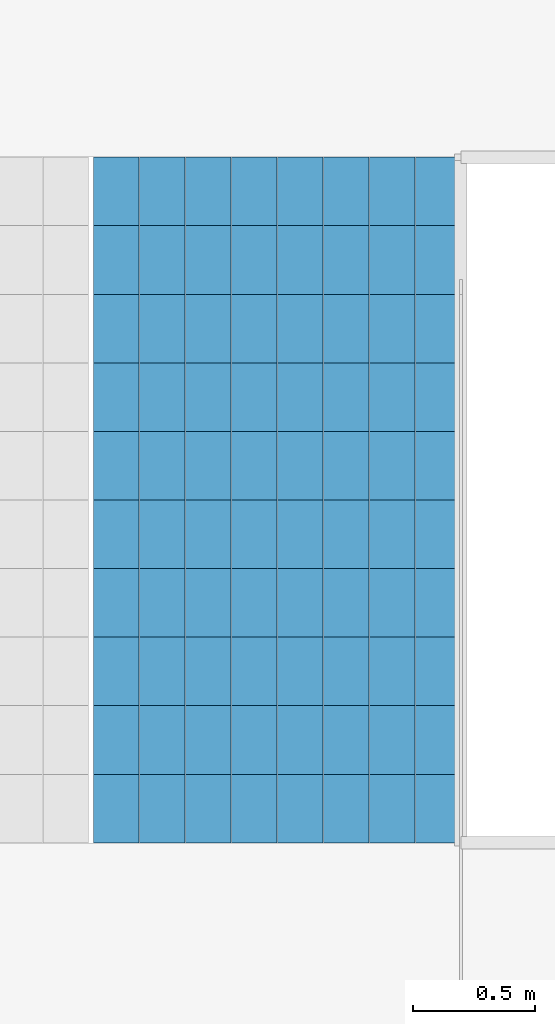
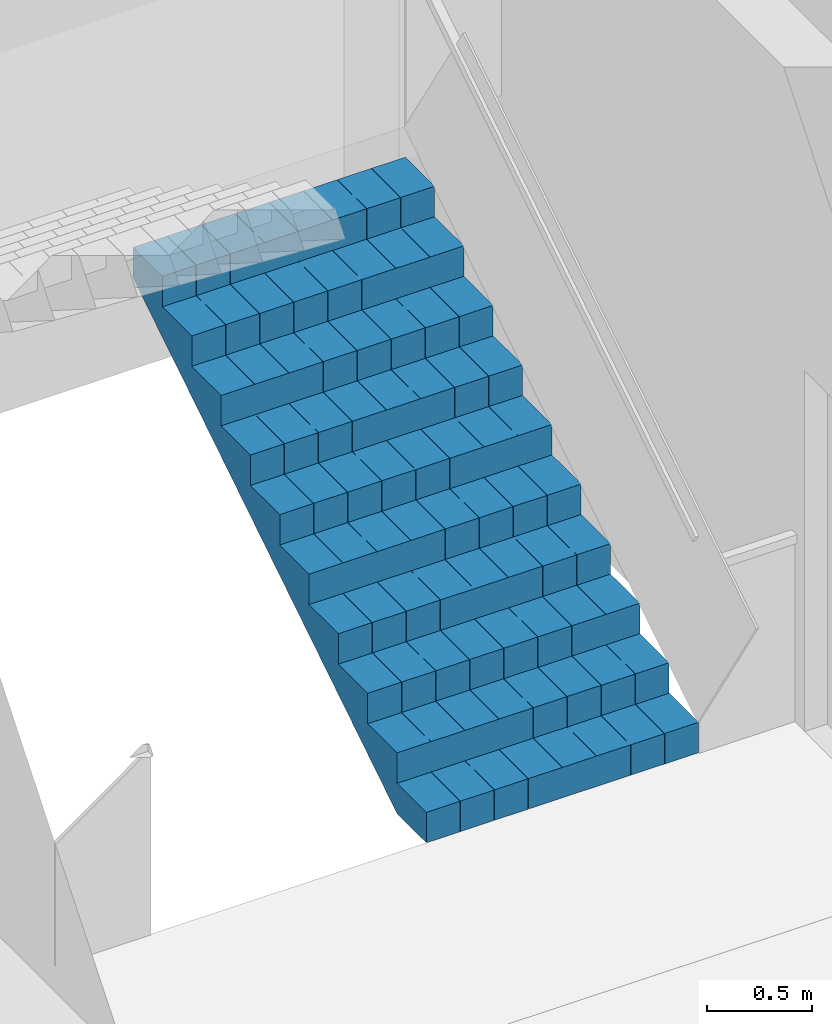
# One storey, part 12 of 14: 1 stair flight, 1 element without a shape of its own.
"""IFC4 building model written with IfcOpenShell, lengths in metres."""

from ifc_helpers import new_model, si_unit, direction, frame, origin, place, context, subcontext, project, spatial, polyline, outline, extrude, material, type_object, element, aggregate, save


model = new_model("IFC4")

# Units and contexts
model_context = context("Model", 3, precision=1e-05, world=origin(), true_north=direction((0.0, 1.0)))
body_context = subcontext(model_context, "Body", "Model", "MODEL_VIEW")
ifc_project = project(units=[si_unit("LENGTHUNIT", "METRE"), si_unit("AREAUNIT", "SQUARE_METRE"), si_unit("VOLUMEUNIT", "CUBIC_METRE"), si_unit("PLANEANGLEUNIT", "RADIAN"), si_unit("MASSUNIT", "GRAM", prefix="KILO")], contexts=[model_context])

# Site, building, storey
site_placement = place(None, origin())
site = spatial("IfcSite", under=ifc_project, at=site_placement, CompositionType="ELEMENT")
building_placement = place(site_placement, origin())
building = spatial("IfcBuilding", under=site, at=building_placement, Name="Kolab Exchange Tower", CompositionType="ELEMENT")
storey_placement = place(building_placement, frame((0.0, 0.0, 246.199951171875)))
storey = spatial("IfcBuildingStorey", under=building, at=storey_placement, Name="L54", CompositionType="ELEMENT", Elevation=246.199951171875)

# Stair, stair flight
ifc_material = material(Name="Concrete C50/60", Category="concrete")
stair_type = type_object("IfcStairType", Name="STAIR ST1 RISER 177.3", PredefinedType="HALF_TURN_STAIR", material=ifc_material)
stair_placement = place(storey_placement, origin())
stair = element("IfcStair", 1, at=stair_placement, inside=storey, type_object=stair_type, Name="Stair 1", PredefinedType="HALF_TURN_STAIR")
stair_flight_type = type_object("IfcStairFlightType", Name="STAIR FLIGHT 1500 RISER 177.3", PredefinedType="STRAIGHT", material=ifc_material)
stair_flight_placement = place(storey_placement, frame((-6.527587890625, 5.550048828125, 0.0), z_axis=(0.0, 0.0, 1.0), x_axis=(0.0, 1.0, 0.0)))
stair_flight = element("IfcStairFlight", 2, at=stair_flight_placement, type_object=stair_flight_type, Name="ST1 flight 1", NumberOfRisers=11, NumberOfTreads=10, PredefinedType="STRAIGHT", RiserHeight=0.177272727, TreadLength=0.28, context=body_context, shape_type="SweptSolid", body=[
    extrude(outline(polyline([(0.0, 0.0), (0.0, 0.17724609375), (0.280029296875, 0.17724609375), (0.280029296875, 0.3544921875), (0.56005859375, 0.3544921875), (0.56005859375, 0.53173828125), (0.840087890625, 0.53173828125), (0.840087890625, 0.708984375), (1.1201171875, 0.708984375), (1.1201171875, 0.886474609375), (1.39990234375, 0.886474609375), (1.39990234375, 1.063720703125), (1.679931640625, 1.063720703125), (1.679931640625, 1.240966796875), (1.9599609375, 1.240966796875), (1.9599609375, 1.418212890625), (2.239990234375, 1.418212890625), (2.239990234375, 1.595458984375), (2.52001953125, 1.595458984375), (2.52001953125, 1.772705078125), (2.800048828125, 1.772705078125), (2.800048828125, 1.949951171875), (2.800048828125, 1.59521484375), (0.2802734375, 0.0), (0.0, 0.0)])), frame((0.0, 0.75, 0.0), z_axis=(0.0, -1.0, 0.0), x_axis=(1.0, 0.0, 0.0)), (0.0, 0.0, 1.0), 0.185791015625),
    extrude(outline(polyline([(0.0, 0.0), (0.0, 0.17724609375), (0.280029296875, 0.17724609375), (0.280029296875, 0.3544921875), (0.56005859375, 0.3544921875), (0.56005859375, 0.53173828125), (0.840087890625, 0.53173828125), (0.840087890625, 0.708984375), (1.1201171875, 0.708984375), (1.1201171875, 0.886474609375), (1.39990234375, 0.886474609375), (1.39990234375, 1.063720703125), (1.679931640625, 1.063720703125), (1.679931640625, 1.240966796875), (1.9599609375, 1.240966796875), (1.9599609375, 1.418212890625), (2.239990234375, 1.418212890625), (2.239990234375, 1.595458984375), (2.52001953125, 1.595458984375), (2.52001953125, 1.772705078125), (2.800048828125, 1.772705078125), (2.800048828125, 1.949951171875), (2.800048828125, 1.59521484375), (0.2802734375, 0.0), (0.0, 0.0)])), frame((0.0, 0.562255859375, 0.0), z_axis=(0.0, -1.0, 0.0), x_axis=(1.0, 0.0, 0.0)), (0.0, 0.0, 1.0), 0.185791015625),
    extrude(outline(polyline([(0.0, 0.0), (0.0, 0.17724609375), (0.280029296875, 0.17724609375), (0.280029296875, 0.3544921875), (0.56005859375, 0.3544921875), (0.56005859375, 0.53173828125), (0.840087890625, 0.53173828125), (0.840087890625, 0.708984375), (1.1201171875, 0.708984375), (1.1201171875, 0.886474609375), (1.39990234375, 0.886474609375), (1.39990234375, 1.063720703125), (1.679931640625, 1.063720703125), (1.679931640625, 1.240966796875), (1.9599609375, 1.240966796875), (1.9599609375, 1.418212890625), (2.239990234375, 1.418212890625), (2.239990234375, 1.595458984375), (2.52001953125, 1.595458984375), (2.52001953125, 1.772705078125), (2.800048828125, 1.772705078125), (2.800048828125, 1.949951171875), (2.800048828125, 1.59521484375), (0.2802734375, 0.0), (0.0, 0.0)])), frame((0.0, 0.37451171875, 0.0), z_axis=(0.0, -1.0, 0.0), x_axis=(1.0, 0.0, 0.0)), (0.0, 0.0, 1.0), 0.185791015625),
    extrude(outline(polyline([(0.0, 0.0), (0.0, 0.17724609375), (0.280029296875, 0.17724609375), (0.280029296875, 0.3544921875), (0.56005859375, 0.3544921875), (0.56005859375, 0.53173828125), (0.840087890625, 0.53173828125), (0.840087890625, 0.708984375), (1.1201171875, 0.708984375), (1.1201171875, 0.886474609375), (1.39990234375, 0.886474609375), (1.39990234375, 1.063720703125), (1.679931640625, 1.063720703125), (1.679931640625, 1.240966796875), (1.9599609375, 1.240966796875), (1.9599609375, 1.418212890625), (2.239990234375, 1.418212890625), (2.239990234375, 1.595458984375), (2.52001953125, 1.595458984375), (2.52001953125, 1.772705078125), (2.800048828125, 1.772705078125), (2.800048828125, 1.949951171875), (2.800048828125, 1.59521484375), (0.2802734375, 0.0), (0.0, 0.0)])), frame((0.0, 0.186767578125, 0.0), z_axis=(0.0, -1.0, 0.0), x_axis=(1.0, 0.0, 0.0)), (0.0, 0.0, 1.0), 0.185791015625),
    extrude(outline(polyline([(0.0, 0.0), (0.0, 0.17724609375), (0.280029296875, 0.17724609375), (0.280029296875, 0.3544921875), (0.56005859375, 0.3544921875), (0.56005859375, 0.53173828125), (0.840087890625, 0.53173828125), (0.840087890625, 0.708984375), (1.1201171875, 0.708984375), (1.1201171875, 0.886474609375), (1.39990234375, 0.886474609375), (1.39990234375, 1.063720703125), (1.679931640625, 1.063720703125), (1.679931640625, 1.240966796875), (1.9599609375, 1.240966796875), (1.9599609375, 1.418212890625), (2.239990234375, 1.418212890625), (2.239990234375, 1.595458984375), (2.52001953125, 1.595458984375), (2.52001953125, 1.772705078125), (2.800048828125, 1.772705078125), (2.800048828125, 1.949951171875), (2.800048828125, 1.59521484375), (0.2802734375, 0.0), (0.0, 0.0)])), frame((0.0, -0.0009765625, 0.0), z_axis=(0.0, -1.0, 0.0), x_axis=(1.0, 0.0, 0.0)), (0.0, 0.0, 1.0), 0.185791015625),
    extrude(outline(polyline([(0.0, 0.0), (0.0, 0.17724609375), (0.280029296875, 0.17724609375), (0.280029296875, 0.3544921875), (0.56005859375, 0.3544921875), (0.56005859375, 0.53173828125), (0.840087890625, 0.53173828125), (0.840087890625, 0.708984375), (1.1201171875, 0.708984375), (1.1201171875, 0.886474609375), (1.39990234375, 0.886474609375), (1.39990234375, 1.063720703125), (1.679931640625, 1.063720703125), (1.679931640625, 1.240966796875), (1.9599609375, 1.240966796875), (1.9599609375, 1.418212890625), (2.239990234375, 1.418212890625), (2.239990234375, 1.595458984375), (2.52001953125, 1.595458984375), (2.52001953125, 1.772705078125), (2.800048828125, 1.772705078125), (2.800048828125, 1.949951171875), (2.800048828125, 1.59521484375), (0.2802734375, 0.0), (0.0, 0.0)])), frame((0.0, -0.188720703125, 0.0), z_axis=(0.0, -1.0, 0.0), x_axis=(1.0, 0.0, 0.0)), (0.0, 0.0, 1.0), 0.185791015625),
    extrude(outline(polyline([(0.0, 0.0), (0.0, 0.17724609375), (0.280029296875, 0.17724609375), (0.280029296875, 0.3544921875), (0.56005859375, 0.3544921875), (0.56005859375, 0.53173828125), (0.840087890625, 0.53173828125), (0.840087890625, 0.708984375), (1.1201171875, 0.708984375), (1.1201171875, 0.886474609375), (1.39990234375, 0.886474609375), (1.39990234375, 1.063720703125), (1.679931640625, 1.063720703125), (1.679931640625, 1.240966796875), (1.9599609375, 1.240966796875), (1.9599609375, 1.418212890625), (2.239990234375, 1.418212890625), (2.239990234375, 1.595458984375), (2.52001953125, 1.595458984375), (2.52001953125, 1.772705078125), (2.800048828125, 1.772705078125), (2.800048828125, 1.949951171875), (2.800048828125, 1.59521484375), (0.2802734375, 0.0), (0.0, 0.0)])), frame((0.0, -0.37646484375, 0.0), z_axis=(0.0, -1.0, 0.0), x_axis=(1.0, 0.0, 0.0)), (0.0, 0.0, 1.0), 0.185791015625),
    extrude(outline(polyline([(0.0, 0.0), (0.0, 0.17724609375), (0.280029296875, 0.17724609375), (0.280029296875, 0.3544921875), (0.56005859375, 0.3544921875), (0.56005859375, 0.53173828125), (0.840087890625, 0.53173828125), (0.840087890625, 0.708984375), (1.1201171875, 0.708984375), (1.1201171875, 0.886474609375), (1.39990234375, 0.886474609375), (1.39990234375, 1.063720703125), (1.679931640625, 1.063720703125), (1.679931640625, 1.240966796875), (1.9599609375, 1.240966796875), (1.9599609375, 1.418212890625), (2.239990234375, 1.418212890625), (2.239990234375, 1.595458984375), (2.52001953125, 1.595458984375), (2.52001953125, 1.772705078125), (2.800048828125, 1.772705078125), (2.800048828125, 1.949951171875), (2.800048828125, 1.59521484375), (0.2802734375, 0.0), (0.0, 0.0)])), frame((0.0, -0.564208984375, 0.0), z_axis=(0.0, -1.0, 0.0), x_axis=(1.0, 0.0, 0.0)), (0.0, 0.0, 1.0), 0.185791015625),
])
aggregate(stair, [stair_flight])

save(model, "model.ifc")
